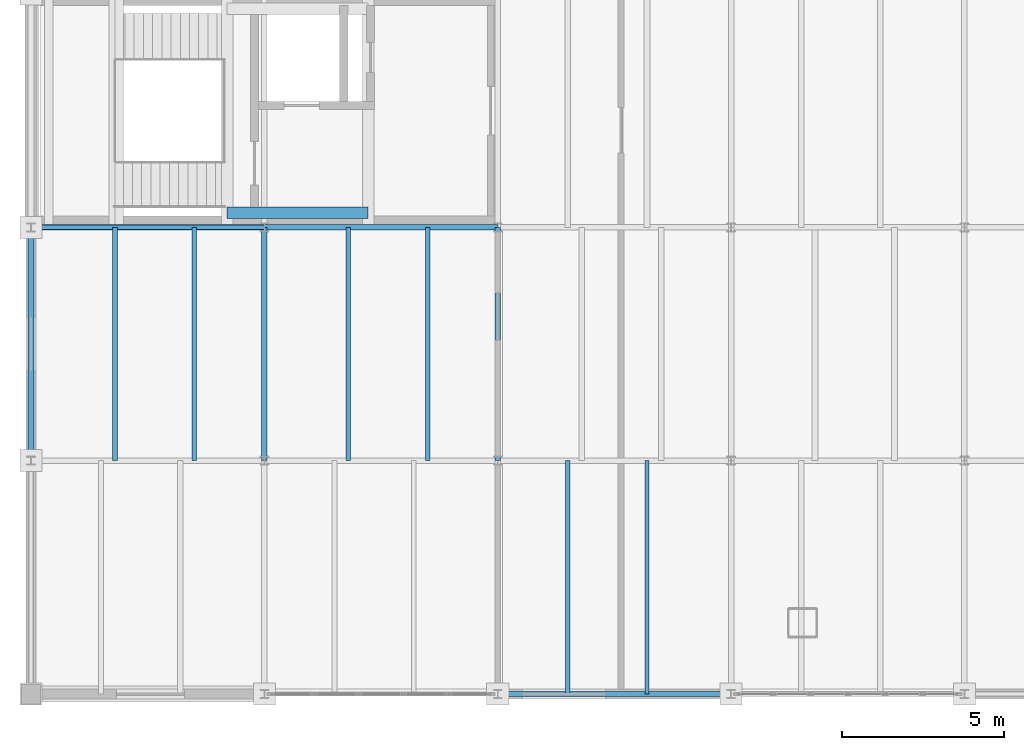
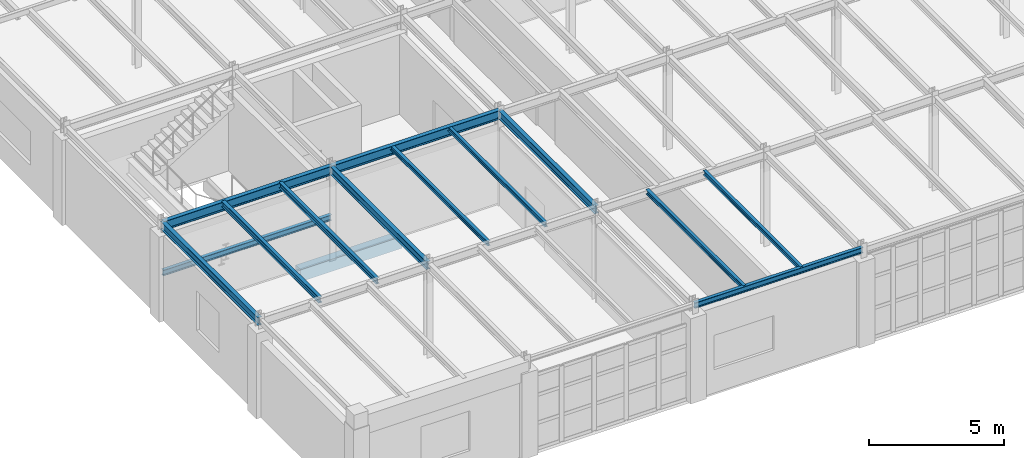
# One storey, part 9 of 36: 14 beams.
"""IFC4 building model written with IfcOpenShell, lengths in metres."""

from ifc_helpers import new_model, si_unit, direction, frame, origin, origin_2d, place, context, subcontext, project, spatial, rectangle, i_section, extrude, material, material_profile, profile_set, type_object, element, save


model = new_model("IFC4")

# Units and contexts
model_context = context("Model", 3, precision=1e-05, world=origin(), true_north=direction((0.0, 1.0)))
body_context = subcontext(model_context, "Body", "Model", "MODEL_VIEW")
ifc_project = project(units=[si_unit("LENGTHUNIT", "METRE"), si_unit("AREAUNIT", "SQUARE_METRE"), si_unit("VOLUMEUNIT", "CUBIC_METRE"), si_unit("PLANEANGLEUNIT", "RADIAN"), si_unit("MASSUNIT", "GRAM", prefix="KILO")], contexts=[model_context])

# Site, building, storey
site_placement = place(None, origin())
site = spatial("IfcSite", under=ifc_project, at=site_placement, CompositionType="ELEMENT")
building_placement = place(site_placement, origin())
building = spatial("IfcBuilding", under=site, at=building_placement, Name="Kemerveld Promenade Tramway Depot", CompositionType="ELEMENT")
storey_placement = place(building_placement, frame((0.0, 0.0, 14.39990234375)))
storey = spatial("IfcBuildingStorey", under=building, at=storey_placement, Name="L03", CompositionType="ELEMENT", Elevation=14.39990234375)

# Beams
ifc_material_1 = material(Name="Steel S355", Category="steel")
ifc_material_profile_1 = material_profile(ifc_material_1, i_section(OverallWidth=0.1787109375, OverallDepth=0.409423828125, WebThickness=0.0087890625, FlangeThickness=0.014404296875, FilletRadius=0.01025390625, at=origin_2d()), Name="406x178x67 UB")
ifc_profile_set_1 = profile_set([ifc_material_profile_1], Name="Steel S355")
beam_type_1 = type_object("IfcBeamType", Name="BM-G07", PredefinedType="BEAM", material=ifc_profile_set_1)
for number, where, z_axis, x_axis, name in (
    (1, (0.0, 14.39990234375, 4.075439453125), (1.0, 0.0, 0.0), (0.0, 1.0, 0.0), "BMX-L03-01-02-C"),
    (2, (7.199951171875, 14.39990234375, 4.075439453125), (1.0, 0.0, 0.0), (0.0, 1.0, 0.0), "BMX-L03-02-03-C"),
):
    element("IfcBeam", number, at=place(storey_placement, frame(where, z_axis=z_axis, x_axis=x_axis)), inside=storey, type_object=beam_type_1, Name=name, PredefinedType="BEAM", context=body_context, shape_type="SweptSolid", body=[
        extrude(i_section(OverallWidth=0.1787109375, OverallDepth=0.409423828125, WebThickness=0.0087890625, FlangeThickness=0.014404296875, FilletRadius=0.01025390625, at=origin_2d()), origin(), (0.0, 0.0, 1.0), 7.199951171875),
    ])
ifc_material_profile_2 = material_profile(ifc_material_1, i_section(OverallWidth=0.172119140625, OverallDepth=0.35791015625, WebThickness=0.008056640625, FlangeThickness=0.012939453125, FilletRadius=0.01025390625, at=origin_2d()), Name="356x171x57 UB")
ifc_profile_set_2 = profile_set([ifc_material_profile_2], Name="Steel S355")
beam_type_2 = type_object("IfcBeamType", Name="BM-G08", PredefinedType="BEAM", material=ifc_profile_set_2)
for number, where, z_axis, x_axis, name in (
    (3, (0.0, 7.199951171875, 4.10107421875), (0.0, 1.0, 0.0), (-1.0, 0.0, 0.0), "BMY-L03-01-B-C"),
    (4, (7.199951171875, 7.199951171875, 4.10107421875), (0.0, 1.0, 0.0), (-1.0, 0.0, 0.0), "BMY-L03-02-B-C"),
    (5, (14.39990234375, 7.199951171875, 4.10107421875), (0.0, 1.0, 0.0), (-1.0, 0.0, 0.0), "BMY-L03-03-B-C"),
):
    element("IfcBeam", number, at=place(storey_placement, frame(where, z_axis=z_axis, x_axis=x_axis)), inside=storey, type_object=beam_type_2, Name=name, PredefinedType="BEAM", context=body_context, shape_type="SweptSolid", body=[
        extrude(i_section(OverallWidth=0.172119140625, OverallDepth=0.35791015625, WebThickness=0.008056640625, FlangeThickness=0.012939453125, FilletRadius=0.01025390625, at=origin_2d()), origin(), (0.0, 0.0, 1.0), 7.199951171875),
    ])
ifc_material_profile_3 = material_profile(ifc_material_1, i_section(OverallWidth=0.146484375, OverallDepth=0.256103515625, WebThickness=0.00634765625, FlangeThickness=0.010986328125, FilletRadius=0.007568359375, at=origin_2d()), Name="254x146x37 UB")
ifc_profile_set_3 = profile_set([ifc_material_profile_3], Name="Steel S355")
beam_type_3 = type_object("IfcBeamType", Name="BM-G15", PredefinedType="BEAM", material=ifc_profile_set_3)
beam_1_placement = place(storey_placement, frame((14.39990234375, 0.0, 4.156982421875), z_axis=(1.0, 0.0, 0.0), x_axis=(0.0, 1.0, 0.0)))
element("IfcBeam", 6, at=beam_1_placement, inside=storey, type_object=beam_type_3, Name="BMX-L03-03-04-A", PredefinedType="BEAM", context=body_context, shape_type="SweptSolid", body=[
    extrude(i_section(OverallWidth=0.146484375, OverallDepth=0.256103515625, WebThickness=0.00634765625, FlangeThickness=0.010986328125, FilletRadius=0.007568359375, at=origin_2d()), origin(), (0.0, 0.0, 1.0), 7.2001953125),
])
ifc_material_profile_4 = material_profile(ifc_material_1, i_section(OverallWidth=0.146484375, OverallDepth=0.256103515625, WebThickness=0.00634765625, FlangeThickness=0.010986328125, FilletRadius=0.007568359375, at=origin_2d()), Name="254x146x37 UB")
ifc_profile_set_4 = profile_set([ifc_material_profile_4], Name="Steel S355")
beam_type_4 = type_object("IfcBeamType", Name="BM-J02", PredefinedType="JOIST", material=ifc_profile_set_4)
for number, where, z_axis, x_axis, name in (
    (7, (2.592041015625, 7.199951171875, 4.152099609375), (0.0, 1.0, 0.0), (-1.0, 0.0, 0.0), "JST-L03-01-B-1"),
    (8, (5.0400390625, 7.199951171875, 4.152099609375), (0.0, 1.0, 0.0), (-1.0, 0.0, 0.0), "JST-L03-01-B-2"),
    (9, (0.0, 14.39990234375, 1.942138671875), (1.0, 0.0, 0.0), (0.0, 1.0, 0.0), "BM-HLY-ST-01-L03-S"),
):
    element("IfcBeam", number, at=place(storey_placement, frame(where, z_axis=z_axis, x_axis=x_axis)), inside=storey, type_object=beam_type_4, Name=name, PredefinedType="JOIST", context=body_context, shape_type="SweptSolid", body=[
        extrude(i_section(OverallWidth=0.146484375, OverallDepth=0.256103515625, WebThickness=0.00634765625, FlangeThickness=0.010986328125, FilletRadius=0.007568359375, at=origin_2d()), origin(), (0.0, 0.0, 1.0), 7.199951171875),
    ])
ifc_material_profile_5 = material_profile(ifc_material_1, i_section(OverallWidth=0.13330078125, OverallDepth=0.203125, WebThickness=0.005615234375, FlangeThickness=0.0078125, FilletRadius=0.007568359375, at=origin_2d()), Name="203x133x25 UB")
ifc_profile_set_5 = profile_set([ifc_material_profile_5], Name="Steel S355")
beam_type_5 = type_object("IfcBeamType", Name="BM-J03", PredefinedType="JOIST", material=ifc_profile_set_5)
for number, where, z_axis, x_axis, name in (
    (10, (9.7919921875, 7.199951171875, 4.178466796875), (0.0, 1.0, 0.0), (-1.0, 0.0, 0.0), "JST-L03-02-B-1"),
    (11, (12.239990234375, 7.199951171875, 4.178466796875), (0.0, 1.0, 0.0), (-1.0, 0.0, 0.0), "JST-L03-02-B-2"),
    (12, (16.56005859375, 0.0, 4.18359375), (0.0, 1.0, 0.0), (-1.0, 0.0, 0.0), "JST-L03-03-A-1"),
    (13, (19.008056640625, 0.0, 4.18359375), (0.0, 1.0, 0.0), (-1.0, 0.0, 0.0), "JST-L03-03-A-2"),
):
    element("IfcBeam", number, at=place(storey_placement, frame(where, z_axis=z_axis, x_axis=x_axis)), inside=storey, type_object=beam_type_5, Name=name, PredefinedType="JOIST", context=body_context, shape_type="SweptSolid", body=[
        extrude(i_section(OverallWidth=0.13330078125, OverallDepth=0.203125, WebThickness=0.005615234375, FlangeThickness=0.0078125, FilletRadius=0.007568359375, at=origin_2d()), origin(), (0.0, 0.0, 1.0), 7.199951171875),
    ])
ifc_material_2 = material(Name="Concrete C40/50", Category="concrete")
ifc_material_profile_6 = material_profile(ifc_material_2, rectangle(XDim=0.35009765625, YDim=0.550048828125, at=origin_2d()), Name="RC-BM-350x550")
ifc_profile_set_6 = profile_set([ifc_material_profile_6], Name="Concrete C40/50")
beam_type_6 = type_object("IfcBeamType", Name="BM-RC3", PredefinedType="BEAM", material=ifc_profile_set_6)
beam_2_placement = place(storey_placement, frame((6.050048828125, 14.85009765625, -0.5), z_axis=(1.0, 0.0, 0.0), x_axis=(0.0, 1.0, 0.0)))
element("IfcBeam", 14, at=beam_2_placement, inside=storey, type_object=beam_type_6, Name="BM-COREX-C1-L03-S", PredefinedType="BEAM", context=body_context, shape_type="SweptSolid", body=[
    extrude(rectangle(XDim=0.35009765625, YDim=0.550048828125, at=origin_2d()), origin(), (0.0, 0.0, 1.0), 4.349853515625),
])

save(model, "model.ifc")
